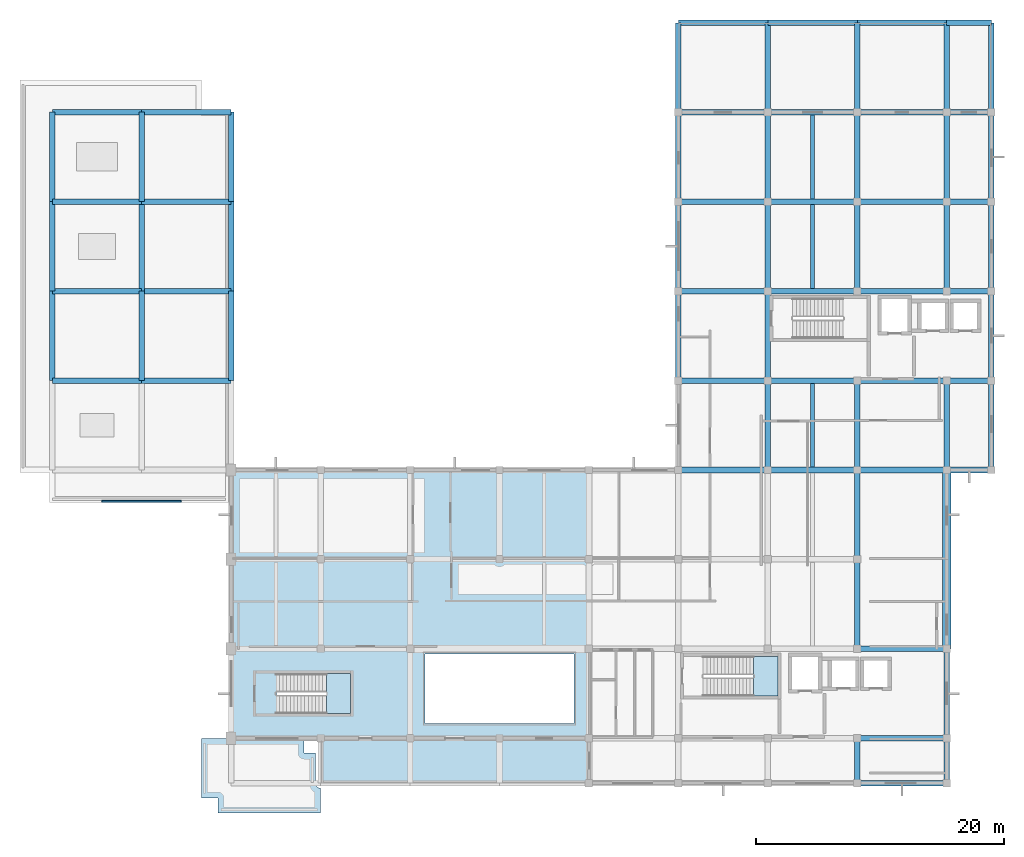
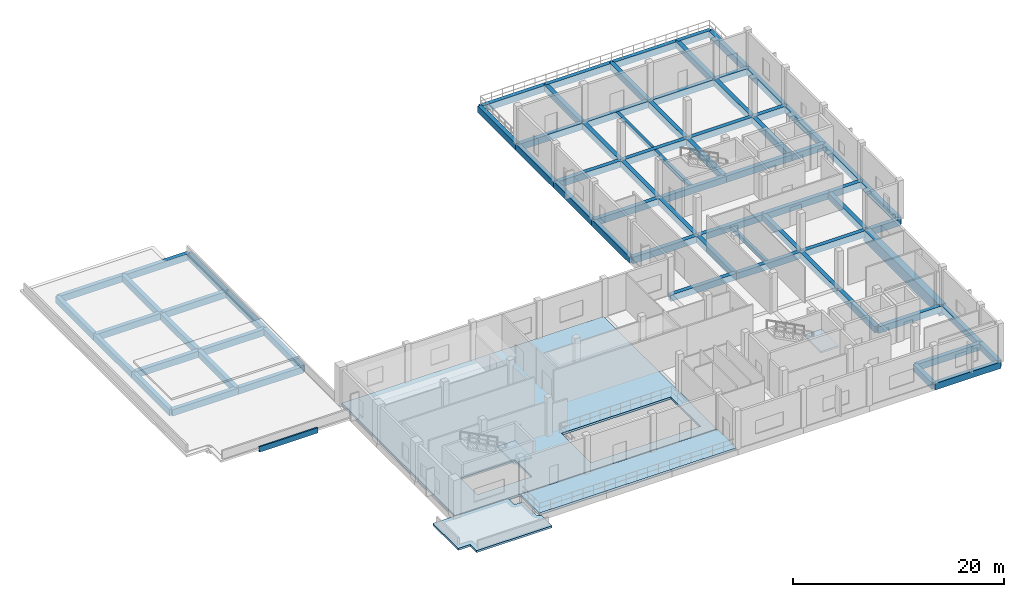
# One storey, part 2 of 14: 75 beams, 5 slabs, 1 plate, 2 elements without a shape of their own.
"""IFC4 building model written with IfcOpenShell, lengths in metres."""

from ifc_helpers import new_model, si_unit, direction, frame, origin, origin_2d, place, context, subcontext, project, spatial, polyline, rectangle, outline, extrude, material, layer, layer_set, material_profile, profile_set, type_object, element, aggregate, save


model = new_model("IFC4")

# Units and contexts
model_context = context("Model", 3, precision=1e-05, world=origin(), true_north=direction((0.0, 1.0)))
body_context = subcontext(model_context, "Body", "Model", "MODEL_VIEW")
ifc_project = project(units=[si_unit("LENGTHUNIT", "METRE"), si_unit("AREAUNIT", "SQUARE_METRE"), si_unit("VOLUMEUNIT", "CUBIC_METRE"), si_unit("PLANEANGLEUNIT", "RADIAN"), si_unit("MASSUNIT", "GRAM", prefix="KILO")], contexts=[model_context])

# Site, building, storey
site_placement = place(None, origin())
site = spatial("IfcSite", under=ifc_project, at=site_placement, CompositionType="ELEMENT")
building_placement = place(site_placement, origin())
building = spatial("IfcBuilding", under=site, at=building_placement, Name="Seraya Terrace Polytechnic", CompositionType="ELEMENT")
storey_placement = place(building_placement, frame((0.0, 0.0, 27.89990234375)))
storey = spatial("IfcBuildingStorey", under=building, at=storey_placement, Name="L06", CompositionType="ELEMENT", Elevation=27.89990234375)

# Beams
ifc_material_1 = material(Name="Concrete C40/50", Category="concrete")
ifc_material_profile_1 = material_profile(ifc_material_1, rectangle(XDim=0.699951171875, YDim=1.300048828125, at=origin_2d()), Name="RC 700x1300")
ifc_profile_set_1 = profile_set([ifc_material_profile_1], Name="Concrete C40/50")
beam_type_1 = type_object("IfcBeamType", Name="BG-01", PredefinedType="USERDEFINED", material=ifc_profile_set_1)
beam_1_placement = place(storey_placement, frame((100.800048828125, 14.39990234375, -0.64990234375), z_axis=(0.0, 1.0, 0.0), x_axis=(-1.0, 0.0, 0.0)))
element("IfcBeam", 1, at=beam_1_placement, inside=storey, type_object=beam_type_1, Name="Beam BG-01 L06 Y (100.8, 14.4..28.8)", ObjectType="GIRDER", PredefinedType="USERDEFINED", context=body_context, shape_type="SweptSolid", body=[
    extrude(rectangle(XDim=0.699951171875, YDim=1.300048828125, at=origin_2d()), origin(), (0.0, 0.0, 1.0), 14.400146484375),
])
ifc_material_profile_2 = material_profile(ifc_material_1, rectangle(XDim=0.449951171875, YDim=0.75, at=origin_2d()), Name="RC 450x750")
ifc_profile_set_2 = profile_set([ifc_material_profile_2], Name="Concrete C40/50")
beam_type_2 = type_object("IfcBeamType", Name="BM-08", PredefinedType="BEAM", material=ifc_profile_set_2)
for number, where, z_axis, x_axis, name in (
    (2, (93.60009765625, 3.60009765625, -0.375), (1.0, 0.0, 0.0), (0.0, 1.0, 0.0), "Beam BM-08 L06 X (93.6..100.8, 3.6)"),
    (3, (93.60009765625, 7.199951171875, -0.375), (1.0, 0.0, 0.0), (0.0, 1.0, 0.0), "Beam BM-08 L06 X (93.6..100.8, 7.2)"),
    (4, (93.60009765625, 14.39990234375, -0.375), (1.0, 0.0, 0.0), (0.0, 1.0, 0.0), "Beam BM-08 L06 X (93.6..100.8, 14.4)"),
    (5, (79.199951171875, 28.800048828125, -0.375), (1.0, 0.0, 0.0), (0.0, 1.0, 0.0), "Beam BM-08 L06 X (79.2..86.4, 28.8)"),
):
    element("IfcBeam", number, at=place(storey_placement, frame(where, z_axis=z_axis, x_axis=x_axis)), inside=storey, type_object=beam_type_2, Name=name, PredefinedType="BEAM", context=body_context, shape_type="SweptSolid", body=[
        extrude(rectangle(XDim=0.449951171875, YDim=0.75, at=origin_2d()), origin(), (0.0, 0.0, 1.0), 7.199951171875),
    ])
beam_2_placement = place(storey_placement, frame((86.39990234375, 28.800048828125, -0.375), z_axis=(1.0, 0.0, 0.0), x_axis=(0.0, 1.0, 0.0)))
element("IfcBeam", 6, at=beam_2_placement, inside=storey, type_object=beam_type_2, Name="Beam BM-08 L06 X (86.4..93.6, 28.8)", PredefinedType="BEAM", context=body_context, shape_type="SweptSolid", body=[
    extrude(rectangle(XDim=0.449951171875, YDim=0.75, at=origin_2d()), origin(), (0.0, 0.0, 1.0), 7.2001953125),
])
beam_3_placement = place(storey_placement, frame((93.60009765625, 28.800048828125, -0.375), z_axis=(1.0, 0.0, 0.0), x_axis=(0.0, 1.0, 0.0)))
element("IfcBeam", 7, at=beam_3_placement, inside=storey, type_object=beam_type_2, Name="Beam BM-08 L06 X (93.6..100.8, 28.8)", PredefinedType="BEAM", context=body_context, shape_type="SweptSolid", body=[
    extrude(rectangle(XDim=0.449951171875, YDim=0.75, at=origin_2d()), origin(), (0.0, 0.0, 1.0), 7.199951171875),
])
beam_4_placement = place(storey_placement, frame((100.800048828125, 28.800048828125, -0.375), z_axis=(1.0, 0.0, 0.0), x_axis=(0.0, 1.0, 0.0)))
element("IfcBeam", 8, at=beam_4_placement, inside=storey, type_object=beam_type_2, Name="Beam BM-08 L06 X (100.8..104.4, 28.8)", PredefinedType="BEAM", context=body_context, shape_type="SweptSolid", body=[
    extrude(rectangle(XDim=0.449951171875, YDim=0.75, at=origin_2d()), origin(), (0.0, 0.0, 1.0), 3.599853515625),
])
for number, where, z_axis, x_axis, name in (
    (9, (28.800048828125, 36.0, -0.375), (1.0, 0.0, 0.0), (0.0, 1.0, 0.0), "Beam BM-08 L06 X (28.8..36.0, 36.0)"),
    (10, (36.0, 36.0, -0.375), (1.0, 0.0, 0.0), (0.0, 1.0, 0.0), "Beam BM-08 L06 X (36.0..43.2, 36.0)"),
    (11, (79.199951171875, 36.0, -0.375), (1.0, 0.0, 0.0), (0.0, 1.0, 0.0), "Beam BM-08 L06 X (79.2..86.4, 36.0)"),
):
    element("IfcBeam", number, at=place(storey_placement, frame(where, z_axis=z_axis, x_axis=x_axis)), inside=storey, type_object=beam_type_2, Name=name, PredefinedType="BEAM", context=body_context, shape_type="SweptSolid", body=[
        extrude(rectangle(XDim=0.449951171875, YDim=0.75, at=origin_2d()), origin(), (0.0, 0.0, 1.0), 7.199951171875),
    ])
beam_5_placement = place(storey_placement, frame((86.39990234375, 36.0, -0.375), z_axis=(1.0, 0.0, 0.0), x_axis=(0.0, 1.0, 0.0)))
element("IfcBeam", 12, at=beam_5_placement, inside=storey, type_object=beam_type_2, Name="Beam BM-08 L06 X (86.4..93.6, 36.0)", PredefinedType="BEAM", context=body_context, shape_type="SweptSolid", body=[
    extrude(rectangle(XDim=0.449951171875, YDim=0.75, at=origin_2d()), origin(), (0.0, 0.0, 1.0), 7.2001953125),
])
beam_6_placement = place(storey_placement, frame((93.60009765625, 36.0, -0.375), z_axis=(1.0, 0.0, 0.0), x_axis=(0.0, 1.0, 0.0)))
element("IfcBeam", 13, at=beam_6_placement, inside=storey, type_object=beam_type_2, Name="Beam BM-08 L06 X (93.6..100.8, 36.0)", PredefinedType="BEAM", context=body_context, shape_type="SweptSolid", body=[
    extrude(rectangle(XDim=0.449951171875, YDim=0.75, at=origin_2d()), origin(), (0.0, 0.0, 1.0), 7.199951171875),
])
beam_7_placement = place(storey_placement, frame((100.800048828125, 36.0, -0.375), z_axis=(1.0, 0.0, 0.0), x_axis=(0.0, 1.0, 0.0)))
element("IfcBeam", 14, at=beam_7_placement, inside=storey, type_object=beam_type_2, Name="Beam BM-08 L06 X (100.8..104.4, 36.0)", PredefinedType="BEAM", context=body_context, shape_type="SweptSolid", body=[
    extrude(rectangle(XDim=0.449951171875, YDim=0.75, at=origin_2d()), origin(), (0.0, 0.0, 1.0), 3.599853515625),
])
for number, where, z_axis, x_axis, name in (
    (15, (28.800048828125, 43.199951171875, -0.375), (1.0, 0.0, 0.0), (0.0, 1.0, 0.0), "Beam BM-08 L06 X (28.8..36.0, 43.2)"),
    (16, (36.0, 43.199951171875, -0.375), (1.0, 0.0, 0.0), (0.0, 1.0, 0.0), "Beam BM-08 L06 X (36.0..43.2, 43.2)"),
    (17, (79.199951171875, 43.199951171875, -0.375), (1.0, 0.0, 0.0), (0.0, 1.0, 0.0), "Beam BM-08 L06 X (79.2..86.4, 43.2)"),
):
    element("IfcBeam", number, at=place(storey_placement, frame(where, z_axis=z_axis, x_axis=x_axis)), inside=storey, type_object=beam_type_2, Name=name, PredefinedType="BEAM", context=body_context, shape_type="SweptSolid", body=[
        extrude(rectangle(XDim=0.449951171875, YDim=0.75, at=origin_2d()), origin(), (0.0, 0.0, 1.0), 7.199951171875),
    ])
beam_8_placement = place(storey_placement, frame((86.39990234375, 43.199951171875, -0.375), z_axis=(1.0, 0.0, 0.0), x_axis=(0.0, 1.0, 0.0)))
element("IfcBeam", 18, at=beam_8_placement, inside=storey, type_object=beam_type_2, Name="Beam BM-08 L06 X (86.4..93.6, 43.2)", PredefinedType="BEAM", context=body_context, shape_type="SweptSolid", body=[
    extrude(rectangle(XDim=0.449951171875, YDim=0.75, at=origin_2d()), origin(), (0.0, 0.0, 1.0), 7.2001953125),
])
beam_9_placement = place(storey_placement, frame((93.60009765625, 43.199951171875, -0.375), z_axis=(1.0, 0.0, 0.0), x_axis=(0.0, 1.0, 0.0)))
element("IfcBeam", 19, at=beam_9_placement, inside=storey, type_object=beam_type_2, Name="Beam BM-08 L06 X (93.6..100.8, 43.2)", PredefinedType="BEAM", context=body_context, shape_type="SweptSolid", body=[
    extrude(rectangle(XDim=0.449951171875, YDim=0.75, at=origin_2d()), origin(), (0.0, 0.0, 1.0), 7.199951171875),
])
beam_10_placement = place(storey_placement, frame((100.800048828125, 43.199951171875, -0.375), z_axis=(1.0, 0.0, 0.0), x_axis=(0.0, 1.0, 0.0)))
element("IfcBeam", 20, at=beam_10_placement, inside=storey, type_object=beam_type_2, Name="Beam BM-08 L06 X (100.8..104.4, 43.2)", PredefinedType="BEAM", context=body_context, shape_type="SweptSolid", body=[
    extrude(rectangle(XDim=0.449951171875, YDim=0.75, at=origin_2d()), origin(), (0.0, 0.0, 1.0), 3.599853515625),
])
for number, where, z_axis, x_axis, name in (
    (21, (28.800048828125, 50.39990234375, -0.375), (1.0, 0.0, 0.0), (0.0, 1.0, 0.0), "Beam BM-08 L06 X (28.8..36.0, 50.4)"),
    (22, (36.0, 50.39990234375, -0.375), (1.0, 0.0, 0.0), (0.0, 1.0, 0.0), "Beam BM-08 L06 X (36.0..43.2, 50.4)"),
    (23, (79.199951171875, 50.39990234375, -0.375), (1.0, 0.0, 0.0), (0.0, 1.0, 0.0), "Beam BM-08 L06 X (79.2..86.4, 50.4)"),
):
    element("IfcBeam", number, at=place(storey_placement, frame(where, z_axis=z_axis, x_axis=x_axis)), inside=storey, type_object=beam_type_2, Name=name, PredefinedType="BEAM", context=body_context, shape_type="SweptSolid", body=[
        extrude(rectangle(XDim=0.449951171875, YDim=0.75, at=origin_2d()), origin(), (0.0, 0.0, 1.0), 7.199951171875),
    ])
beam_11_placement = place(storey_placement, frame((86.39990234375, 50.39990234375, -0.375), z_axis=(1.0, 0.0, 0.0), x_axis=(0.0, 1.0, 0.0)))
element("IfcBeam", 24, at=beam_11_placement, inside=storey, type_object=beam_type_2, Name="Beam BM-08 L06 X (86.4..93.6, 50.4)", PredefinedType="BEAM", context=body_context, shape_type="SweptSolid", body=[
    extrude(rectangle(XDim=0.449951171875, YDim=0.75, at=origin_2d()), origin(), (0.0, 0.0, 1.0), 7.2001953125),
])
beam_12_placement = place(storey_placement, frame((93.60009765625, 50.39990234375, -0.375), z_axis=(1.0, 0.0, 0.0), x_axis=(0.0, 1.0, 0.0)))
element("IfcBeam", 25, at=beam_12_placement, inside=storey, type_object=beam_type_2, Name="Beam BM-08 L06 X (93.6..100.8, 50.4)", PredefinedType="BEAM", context=body_context, shape_type="SweptSolid", body=[
    extrude(rectangle(XDim=0.449951171875, YDim=0.75, at=origin_2d()), origin(), (0.0, 0.0, 1.0), 7.199951171875),
])
beam_13_placement = place(storey_placement, frame((100.800048828125, 50.39990234375, -0.375), z_axis=(1.0, 0.0, 0.0), x_axis=(0.0, 1.0, 0.0)))
element("IfcBeam", 26, at=beam_13_placement, inside=storey, type_object=beam_type_2, Name="Beam BM-08 L06 X (100.8..104.4, 50.4)", PredefinedType="BEAM", context=body_context, shape_type="SweptSolid", body=[
    extrude(rectangle(XDim=0.449951171875, YDim=0.75, at=origin_2d()), origin(), (0.0, 0.0, 1.0), 3.599853515625),
])
for number, where, z_axis, x_axis, name in (
    (27, (28.800048828125, 57.60009765625, -0.375), (1.0, 0.0, 0.0), (0.0, 1.0, 0.0), "Beam BM-08 L06 X (28.8..36.0, 57.6)"),
    (28, (36.0, 57.60009765625, -0.375), (1.0, 0.0, 0.0), (0.0, 1.0, 0.0), "Beam BM-08 L06 X (36.0..43.2, 57.6)"),
    (29, (79.199951171875, 57.60009765625, -0.375), (1.0, 0.0, 0.0), (0.0, 1.0, 0.0), "Beam BM-08 L06 X (79.2..86.4, 57.6)"),
):
    element("IfcBeam", number, at=place(storey_placement, frame(where, z_axis=z_axis, x_axis=x_axis)), inside=storey, type_object=beam_type_2, Name=name, PredefinedType="BEAM", context=body_context, shape_type="SweptSolid", body=[
        extrude(rectangle(XDim=0.449951171875, YDim=0.75, at=origin_2d()), origin(), (0.0, 0.0, 1.0), 7.199951171875),
    ])
beam_14_placement = place(storey_placement, frame((86.39990234375, 57.60009765625, -0.375), z_axis=(1.0, 0.0, 0.0), x_axis=(0.0, 1.0, 0.0)))
element("IfcBeam", 30, at=beam_14_placement, inside=storey, type_object=beam_type_2, Name="Beam BM-08 L06 X (86.4..93.6, 57.6)", PredefinedType="BEAM", context=body_context, shape_type="SweptSolid", body=[
    extrude(rectangle(XDim=0.449951171875, YDim=0.75, at=origin_2d()), origin(), (0.0, 0.0, 1.0), 7.2001953125),
])
beam_15_placement = place(storey_placement, frame((93.60009765625, 57.60009765625, -0.375), z_axis=(1.0, 0.0, 0.0), x_axis=(0.0, 1.0, 0.0)))
element("IfcBeam", 31, at=beam_15_placement, inside=storey, type_object=beam_type_2, Name="Beam BM-08 L06 X (93.6..100.8, 57.6)", PredefinedType="BEAM", context=body_context, shape_type="SweptSolid", body=[
    extrude(rectangle(XDim=0.449951171875, YDim=0.75, at=origin_2d()), origin(), (0.0, 0.0, 1.0), 7.199951171875),
])
beam_16_placement = place(storey_placement, frame((100.800048828125, 57.60009765625, -0.375), z_axis=(1.0, 0.0, 0.0), x_axis=(0.0, 1.0, 0.0)))
element("IfcBeam", 32, at=beam_16_placement, inside=storey, type_object=beam_type_2, Name="Beam BM-08 L06 X (100.8..104.4, 57.6)", PredefinedType="BEAM", context=body_context, shape_type="SweptSolid", body=[
    extrude(rectangle(XDim=0.449951171875, YDim=0.75, at=origin_2d()), origin(), (0.0, 0.0, 1.0), 3.599853515625),
])
beam_17_placement = place(storey_placement, frame((79.199951171875, 64.800048828125, -0.375), z_axis=(1.0, 0.0, 0.0), x_axis=(0.0, 1.0, 0.0)))
element("IfcBeam", 33, at=beam_17_placement, inside=storey, type_object=beam_type_2, Name="Beam BM-08 L06 X (79.2..86.4, 64.8)", PredefinedType="BEAM", context=body_context, shape_type="SweptSolid", body=[
    extrude(rectangle(XDim=0.449951171875, YDim=0.75, at=origin_2d()), origin(), (0.0, 0.0, 1.0), 7.199951171875),
])
beam_18_placement = place(storey_placement, frame((86.39990234375, 64.800048828125, -0.375), z_axis=(1.0, 0.0, 0.0), x_axis=(0.0, 1.0, 0.0)))
element("IfcBeam", 34, at=beam_18_placement, inside=storey, type_object=beam_type_2, Name="Beam BM-08 L06 X (86.4..93.6, 64.8)", PredefinedType="BEAM", context=body_context, shape_type="SweptSolid", body=[
    extrude(rectangle(XDim=0.449951171875, YDim=0.75, at=origin_2d()), origin(), (0.0, 0.0, 1.0), 7.2001953125),
])
beam_19_placement = place(storey_placement, frame((93.60009765625, 64.800048828125, -0.375), z_axis=(1.0, 0.0, 0.0), x_axis=(0.0, 1.0, 0.0)))
element("IfcBeam", 35, at=beam_19_placement, inside=storey, type_object=beam_type_2, Name="Beam BM-08 L06 X (93.6..100.8, 64.8)", PredefinedType="BEAM", context=body_context, shape_type="SweptSolid", body=[
    extrude(rectangle(XDim=0.449951171875, YDim=0.75, at=origin_2d()), origin(), (0.0, 0.0, 1.0), 7.199951171875),
])
beam_20_placement = place(storey_placement, frame((100.800048828125, 64.800048828125, -0.375), z_axis=(1.0, 0.0, 0.0), x_axis=(0.0, 1.0, 0.0)))
element("IfcBeam", 36, at=beam_20_placement, inside=storey, type_object=beam_type_2, Name="Beam BM-08 L06 X (100.8..104.4, 64.8)", PredefinedType="BEAM", context=body_context, shape_type="SweptSolid", body=[
    extrude(rectangle(XDim=0.449951171875, YDim=0.75, at=origin_2d()), origin(), (0.0, 0.0, 1.0), 3.599853515625),
])
for number, where, z_axis, x_axis, name in (
    (37, (28.800048828125, 36.0, -0.375), (0.0, 1.0, 0.0), (-1.0, 0.0, 0.0), "Beam BM-08 L06 Y (28.8, 36.0..43.2)"),
    (38, (28.800048828125, 43.199951171875, -0.375), (0.0, 1.0, 0.0), (-1.0, 0.0, 0.0), "Beam BM-08 L06 Y (28.8, 43.2..50.4)"),
):
    element("IfcBeam", number, at=place(storey_placement, frame(where, z_axis=z_axis, x_axis=x_axis)), inside=storey, type_object=beam_type_2, Name=name, PredefinedType="BEAM", context=body_context, shape_type="SweptSolid", body=[
        extrude(rectangle(XDim=0.449951171875, YDim=0.75, at=origin_2d()), origin(), (0.0, 0.0, 1.0), 7.199951171875),
    ])
beam_21_placement = place(storey_placement, frame((28.800048828125, 50.39990234375, -0.375), z_axis=(0.0, 1.0, 0.0), x_axis=(-1.0, 0.0, 0.0)))
element("IfcBeam", 39, at=beam_21_placement, inside=storey, type_object=beam_type_2, Name="Beam BM-08 L06 Y (28.8, 50.4..57.6)", PredefinedType="BEAM", context=body_context, shape_type="SweptSolid", body=[
    extrude(rectangle(XDim=0.449951171875, YDim=0.75, at=origin_2d()), origin(), (0.0, 0.0, 1.0), 7.2001953125),
])
for number, where, z_axis, x_axis, name in (
    (40, (36.0, 36.0, -0.375), (0.0, 1.0, 0.0), (-1.0, 0.0, 0.0), "Beam BM-08 L06 Y (36.0, 36.0..43.2)"),
    (41, (36.0, 43.199951171875, -0.375), (0.0, 1.0, 0.0), (-1.0, 0.0, 0.0), "Beam BM-08 L06 Y (36.0, 43.2..50.4)"),
):
    element("IfcBeam", number, at=place(storey_placement, frame(where, z_axis=z_axis, x_axis=x_axis)), inside=storey, type_object=beam_type_2, Name=name, PredefinedType="BEAM", context=body_context, shape_type="SweptSolid", body=[
        extrude(rectangle(XDim=0.449951171875, YDim=0.75, at=origin_2d()), origin(), (0.0, 0.0, 1.0), 7.199951171875),
    ])
beam_22_placement = place(storey_placement, frame((36.0, 50.39990234375, -0.375), z_axis=(0.0, 1.0, 0.0), x_axis=(-1.0, 0.0, 0.0)))
element("IfcBeam", 42, at=beam_22_placement, inside=storey, type_object=beam_type_2, Name="Beam BM-08 L06 Y (36.0, 50.4..57.6)", PredefinedType="BEAM", context=body_context, shape_type="SweptSolid", body=[
    extrude(rectangle(XDim=0.449951171875, YDim=0.75, at=origin_2d()), origin(), (0.0, 0.0, 1.0), 7.2001953125),
])
for number, where, z_axis, x_axis, name in (
    (43, (43.199951171875, 36.0, -0.375), (0.0, 1.0, 0.0), (-1.0, 0.0, 0.0), "Beam BM-08 L06 Y (43.2, 36.0..43.2)"),
    (44, (43.199951171875, 43.199951171875, -0.375), (0.0, 1.0, 0.0), (-1.0, 0.0, 0.0), "Beam BM-08 L06 Y (43.2, 43.2..50.4)"),
):
    element("IfcBeam", number, at=place(storey_placement, frame(where, z_axis=z_axis, x_axis=x_axis)), inside=storey, type_object=beam_type_2, Name=name, PredefinedType="BEAM", context=body_context, shape_type="SweptSolid", body=[
        extrude(rectangle(XDim=0.449951171875, YDim=0.75, at=origin_2d()), origin(), (0.0, 0.0, 1.0), 7.199951171875),
    ])
beam_23_placement = place(storey_placement, frame((43.199951171875, 50.39990234375, -0.375), z_axis=(0.0, 1.0, 0.0), x_axis=(-1.0, 0.0, 0.0)))
element("IfcBeam", 45, at=beam_23_placement, inside=storey, type_object=beam_type_2, Name="Beam BM-08 L06 Y (43.2, 50.4..57.6)", PredefinedType="BEAM", context=body_context, shape_type="SweptSolid", body=[
    extrude(rectangle(XDim=0.449951171875, YDim=0.75, at=origin_2d()), origin(), (0.0, 0.0, 1.0), 7.2001953125),
])
for number, where, z_axis, x_axis, name in (
    (46, (79.199951171875, 36.0, -0.375), (0.0, 1.0, 0.0), (-1.0, 0.0, 0.0), "Beam BM-08 L06 Y (79.2, 36.0..43.2)"),
    (47, (79.199951171875, 43.199951171875, -0.375), (0.0, 1.0, 0.0), (-1.0, 0.0, 0.0), "Beam BM-08 L06 Y (79.2, 43.2..50.4)"),
):
    element("IfcBeam", number, at=place(storey_placement, frame(where, z_axis=z_axis, x_axis=x_axis)), inside=storey, type_object=beam_type_2, Name=name, PredefinedType="BEAM", context=body_context, shape_type="SweptSolid", body=[
        extrude(rectangle(XDim=0.449951171875, YDim=0.75, at=origin_2d()), origin(), (0.0, 0.0, 1.0), 7.199951171875),
    ])
beam_24_placement = place(storey_placement, frame((79.199951171875, 50.39990234375, -0.375), z_axis=(0.0, 1.0, 0.0), x_axis=(-1.0, 0.0, 0.0)))
element("IfcBeam", 48, at=beam_24_placement, inside=storey, type_object=beam_type_2, Name="Beam BM-08 L06 Y (79.2, 50.4..57.6)", PredefinedType="BEAM", context=body_context, shape_type="SweptSolid", body=[
    extrude(rectangle(XDim=0.449951171875, YDim=0.75, at=origin_2d()), origin(), (0.0, 0.0, 1.0), 7.2001953125),
])
for number, where, z_axis, x_axis, name in (
    (49, (79.199951171875, 57.60009765625, -0.375), (0.0, 1.0, 0.0), (-1.0, 0.0, 0.0), "Beam BM-08 L06 Y (79.2, 57.6..64.8)"),
    (50, (86.39990234375, 28.800048828125, -0.375), (0.0, 1.0, 0.0), (-1.0, 0.0, 0.0), "Beam BM-08 L06 Y (86.4, 28.8..36.0)"),
    (51, (86.39990234375, 36.0, -0.375), (0.0, 1.0, 0.0), (-1.0, 0.0, 0.0), "Beam BM-08 L06 Y (86.4, 36.0..43.2)"),
    (52, (86.39990234375, 43.199951171875, -0.375), (0.0, 1.0, 0.0), (-1.0, 0.0, 0.0), "Beam BM-08 L06 Y (86.4, 43.2..50.4)"),
):
    element("IfcBeam", number, at=place(storey_placement, frame(where, z_axis=z_axis, x_axis=x_axis)), inside=storey, type_object=beam_type_2, Name=name, PredefinedType="BEAM", context=body_context, shape_type="SweptSolid", body=[
        extrude(rectangle(XDim=0.449951171875, YDim=0.75, at=origin_2d()), origin(), (0.0, 0.0, 1.0), 7.199951171875),
    ])
beam_25_placement = place(storey_placement, frame((86.39990234375, 50.39990234375, -0.375), z_axis=(0.0, 1.0, 0.0), x_axis=(-1.0, 0.0, 0.0)))
element("IfcBeam", 53, at=beam_25_placement, inside=storey, type_object=beam_type_2, Name="Beam BM-08 L06 Y (86.4, 50.4..57.6)", PredefinedType="BEAM", context=body_context, shape_type="SweptSolid", body=[
    extrude(rectangle(XDim=0.449951171875, YDim=0.75, at=origin_2d()), origin(), (0.0, 0.0, 1.0), 7.2001953125),
])
beam_26_placement = place(storey_placement, frame((86.39990234375, 57.60009765625, -0.375), z_axis=(0.0, 1.0, 0.0), x_axis=(-1.0, 0.0, 0.0)))
element("IfcBeam", 54, at=beam_26_placement, inside=storey, type_object=beam_type_2, Name="Beam BM-08 L06 Y (86.4, 57.6..64.8)", PredefinedType="BEAM", context=body_context, shape_type="SweptSolid", body=[
    extrude(rectangle(XDim=0.449951171875, YDim=0.75, at=origin_2d()), origin(), (0.0, 0.0, 1.0), 7.199951171875),
])
beam_27_placement = place(storey_placement, frame((93.60009765625, 3.60009765625, -0.375), z_axis=(0.0, 1.0, 0.0), x_axis=(-1.0, 0.0, 0.0)))
element("IfcBeam", 55, at=beam_27_placement, inside=storey, type_object=beam_type_2, Name="Beam BM-08 L06 Y (93.6, 3.6..7.2)", PredefinedType="BEAM", context=body_context, shape_type="SweptSolid", body=[
    extrude(rectangle(XDim=0.449951171875, YDim=0.75, at=origin_2d()), origin(), (0.0, 0.0, 1.0), 3.599853515625),
])
beam_28_placement = place(storey_placement, frame((93.60009765625, 14.39990234375, -0.375), z_axis=(0.0, 1.0, 0.0), x_axis=(-1.0, 0.0, 0.0)))
element("IfcBeam", 56, at=beam_28_placement, inside=storey, type_object=beam_type_2, Name="Beam BM-08 L06 Y (93.6, 14.4..21.6)", PredefinedType="BEAM", context=body_context, shape_type="SweptSolid", body=[
    extrude(rectangle(XDim=0.449951171875, YDim=0.75, at=origin_2d()), origin(), (0.0, 0.0, 1.0), 7.2001953125),
])
for number, where, z_axis, x_axis, name in (
    (57, (93.60009765625, 21.60009765625, -0.375), (0.0, 1.0, 0.0), (-1.0, 0.0, 0.0), "Beam BM-08 L06 Y (93.6, 21.6..28.8)"),
    (58, (93.60009765625, 28.800048828125, -0.375), (0.0, 1.0, 0.0), (-1.0, 0.0, 0.0), "Beam BM-08 L06 Y (93.6, 28.8..36.0)"),
    (59, (93.60009765625, 43.199951171875, -0.375), (0.0, 1.0, 0.0), (-1.0, 0.0, 0.0), "Beam BM-08 L06 Y (93.6, 43.2..50.4)"),
):
    element("IfcBeam", number, at=place(storey_placement, frame(where, z_axis=z_axis, x_axis=x_axis)), inside=storey, type_object=beam_type_2, Name=name, PredefinedType="BEAM", context=body_context, shape_type="SweptSolid", body=[
        extrude(rectangle(XDim=0.449951171875, YDim=0.75, at=origin_2d()), origin(), (0.0, 0.0, 1.0), 7.199951171875),
    ])
beam_29_placement = place(storey_placement, frame((93.60009765625, 50.39990234375, -0.375), z_axis=(0.0, 1.0, 0.0), x_axis=(-1.0, 0.0, 0.0)))
element("IfcBeam", 60, at=beam_29_placement, inside=storey, type_object=beam_type_2, Name="Beam BM-08 L06 Y (93.6, 50.4..57.6)", PredefinedType="BEAM", context=body_context, shape_type="SweptSolid", body=[
    extrude(rectangle(XDim=0.449951171875, YDim=0.75, at=origin_2d()), origin(), (0.0, 0.0, 1.0), 7.2001953125),
])
beam_30_placement = place(storey_placement, frame((93.60009765625, 57.60009765625, -0.375), z_axis=(0.0, 1.0, 0.0), x_axis=(-1.0, 0.0, 0.0)))
element("IfcBeam", 61, at=beam_30_placement, inside=storey, type_object=beam_type_2, Name="Beam BM-08 L06 Y (93.6, 57.6..64.8)", PredefinedType="BEAM", context=body_context, shape_type="SweptSolid", body=[
    extrude(rectangle(XDim=0.449951171875, YDim=0.75, at=origin_2d()), origin(), (0.0, 0.0, 1.0), 7.199951171875),
])
beam_31_placement = place(storey_placement, frame((100.800048828125, 3.60009765625, -0.375), z_axis=(0.0, 1.0, 0.0), x_axis=(-1.0, 0.0, 0.0)))
element("IfcBeam", 62, at=beam_31_placement, inside=storey, type_object=beam_type_2, Name="Beam BM-08 L06 Y (100.8, 3.6..7.2)", PredefinedType="BEAM", context=body_context, shape_type="SweptSolid", body=[
    extrude(rectangle(XDim=0.449951171875, YDim=0.75, at=origin_2d()), origin(), (0.0, 0.0, 1.0), 3.599853515625),
])
for number, where, z_axis, x_axis, name in (
    (63, (100.800048828125, 7.199951171875, -0.375), (0.0, 1.0, 0.0), (-1.0, 0.0, 0.0), "Beam BM-08 L06 Y (100.8, 7.2..14.4)"),
    (64, (100.800048828125, 28.800048828125, -0.375), (0.0, 1.0, 0.0), (-1.0, 0.0, 0.0), "Beam BM-08 L06 Y (100.8, 28.8..36.0)"),
    (65, (100.800048828125, 43.199951171875, -0.375), (0.0, 1.0, 0.0), (-1.0, 0.0, 0.0), "Beam BM-08 L06 Y (100.8, 43.2..50.4)"),
):
    element("IfcBeam", number, at=place(storey_placement, frame(where, z_axis=z_axis, x_axis=x_axis)), inside=storey, type_object=beam_type_2, Name=name, PredefinedType="BEAM", context=body_context, shape_type="SweptSolid", body=[
        extrude(rectangle(XDim=0.449951171875, YDim=0.75, at=origin_2d()), origin(), (0.0, 0.0, 1.0), 7.199951171875),
    ])
beam_32_placement = place(storey_placement, frame((100.800048828125, 50.39990234375, -0.375), z_axis=(0.0, 1.0, 0.0), x_axis=(-1.0, 0.0, 0.0)))
element("IfcBeam", 66, at=beam_32_placement, inside=storey, type_object=beam_type_2, Name="Beam BM-08 L06 Y (100.8, 50.4..57.6)", PredefinedType="BEAM", context=body_context, shape_type="SweptSolid", body=[
    extrude(rectangle(XDim=0.449951171875, YDim=0.75, at=origin_2d()), origin(), (0.0, 0.0, 1.0), 7.2001953125),
])
for number, where, z_axis, x_axis, name in (
    (67, (100.800048828125, 57.60009765625, -0.375), (0.0, 1.0, 0.0), (-1.0, 0.0, 0.0), "Beam BM-08 L06 Y (100.8, 57.6..64.8)"),
    (68, (104.39990234375, 28.800048828125, -0.375), (0.0, 1.0, 0.0), (-1.0, 0.0, 0.0), "Beam BM-08 L06 Y (104.4, 28.8..36.0)"),
    (69, (104.39990234375, 36.0, -0.375), (0.0, 1.0, 0.0), (-1.0, 0.0, 0.0), "Beam BM-08 L06 Y (104.4, 36.0..43.2)"),
    (70, (104.39990234375, 43.199951171875, -0.375), (0.0, 1.0, 0.0), (-1.0, 0.0, 0.0), "Beam BM-08 L06 Y (104.4, 43.2..50.4)"),
):
    element("IfcBeam", number, at=place(storey_placement, frame(where, z_axis=z_axis, x_axis=x_axis)), inside=storey, type_object=beam_type_2, Name=name, PredefinedType="BEAM", context=body_context, shape_type="SweptSolid", body=[
        extrude(rectangle(XDim=0.449951171875, YDim=0.75, at=origin_2d()), origin(), (0.0, 0.0, 1.0), 7.199951171875),
    ])
beam_33_placement = place(storey_placement, frame((104.39990234375, 50.39990234375, -0.375), z_axis=(0.0, 1.0, 0.0), x_axis=(-1.0, 0.0, 0.0)))
element("IfcBeam", 71, at=beam_33_placement, inside=storey, type_object=beam_type_2, Name="Beam BM-08 L06 Y (104.4, 50.4..57.6)", PredefinedType="BEAM", context=body_context, shape_type="SweptSolid", body=[
    extrude(rectangle(XDim=0.449951171875, YDim=0.75, at=origin_2d()), origin(), (0.0, 0.0, 1.0), 7.2001953125),
])
beam_34_placement = place(storey_placement, frame((104.39990234375, 57.60009765625, -0.375), z_axis=(0.0, 1.0, 0.0), x_axis=(-1.0, 0.0, 0.0)))
element("IfcBeam", 72, at=beam_34_placement, inside=storey, type_object=beam_type_2, Name="Beam BM-08 L06 Y (104.4, 57.6..64.8)", PredefinedType="BEAM", context=body_context, shape_type="SweptSolid", body=[
    extrude(rectangle(XDim=0.449951171875, YDim=0.75, at=origin_2d()), origin(), (0.0, 0.0, 1.0), 7.199951171875),
])
ifc_material_profile_3 = material_profile(ifc_material_1, rectangle(XDim=0.300048828125, YDim=0.449951171875, at=origin_2d()), Name="RC 300x450")
ifc_profile_set_3 = profile_set([ifc_material_profile_3], Name="Concrete C40/50")
beam_type_3 = type_object("IfcBeamType", Name="JS-06", PredefinedType="JOIST", material=ifc_profile_set_3)
for number, where, z_axis, x_axis, name in (
    (73, (90.0, 29.02490234375, -0.224853515625), (0.0, 1.0, 0.0), (-1.0, 0.0, 0.0), "Secondary joist JS-06 L06"),
    (74, (90.0, 43.425048828125, -0.224853515625), (0.0, 1.0, 0.0), (-1.0, 0.0, 0.0), "Secondary joist JS-06 L06"),
    (75, (90.0, 50.625, -0.224853515625), (0.0, 1.0, 0.0), (-1.0, 0.0, 0.0), "Secondary joist JS-06 L06"),
):
    element("IfcBeam", number, at=place(storey_placement, frame(where, z_axis=z_axis, x_axis=x_axis)), inside=storey, type_object=beam_type_3, Name=name, PredefinedType="JOIST", context=body_context, shape_type="SweptSolid", body=[
        extrude(rectangle(XDim=0.300048828125, YDim=0.449951171875, at=origin_2d()), origin(), (0.0, 0.0, 1.0), 6.75),
    ])

# Plate
ifc_material_2 = material(Name="Precast concrete C40/50", Category="concrete")
ifc_layer_1 = layer(ifc_material_2, 0.159912109375, Name="FP-01")
ifc_layer_set_1 = layer_set([ifc_layer_1], Name="Precast concrete C40/50")
plate_type = type_object("IfcPlateType", Name="FP-01", PredefinedType="SHEET", material=ifc_layer_set_1)
plate_placement = place(storey_placement, frame((36.0, 26.27001953125, -0.489990234375), z_axis=(0.0, 0.0, 1.0), x_axis=(1.0, 0.0, 0.0)))
element("IfcPlate", 76, at=plate_placement, inside=storey, type_object=plate_type, Name="Sculpted white precast eave fascia ROOF-L06-WEST South", PredefinedType="SHEET", context=body_context, shape_type="SweptSolid", body=[
    extrude(rectangle(XDim=6.39990234375, YDim=0.159912109375, at=origin_2d()), origin(), (0.0, 0.0, 1.0), 0.6201171875),
])

# Slabs
ifc_layer_2 = layer(ifc_material_1, 0.25, Name="FS-11")
ifc_layer_set_2 = layer_set([ifc_layer_2], Name="Concrete C40/50")
slab_type_1 = type_object("IfcSlabType", Name="FS-11", PredefinedType="FLOOR", material=ifc_layer_set_2)
slab_1_placement = place(storey_placement, frame((0.0, 0.0, -0.25)))
element("IfcSlab", 77, at=slab_1_placement, inside=storey, type_object=slab_type_1, Name="Floor slab SLB-V2-SOUTHW-L06-S1 (FS-11)", PredefinedType="FLOOR", context=body_context, shape_type="SweptSolid", body=[
    extrude(outline(polyline([(43.260009765625, 7.260009765625), (43.260009765625, 28.739990234375), (71.93994140625, 28.739990234375), (71.93994140625, 7.260009765625), (43.260009765625, 7.260009765625)]), holes=[polyline([(46.840087890625, 12.39990234375), (46.840087890625, 9.199951171875), (52.800048828125, 9.199951171875), (52.800048828125, 12.39990234375), (46.840087890625, 12.39990234375)]), polyline([(58.800048828125, 14.0), (58.800048828125, 8.39990234375), (70.800048828125, 8.39990234375), (70.800048828125, 14.0), (58.800048828125, 14.0)])]), origin(), (0.0, 0.0, 1.0), 0.25),
])
ifc_layer_3 = layer(ifc_material_2, 0.22998046875, Name="RS-03")
ifc_layer_set_3 = layer_set([ifc_layer_3], Name="Precast concrete C40/50")
slab_type_2 = type_object("IfcSlabType", Name="RS-03", PredefinedType="ROOF", material=ifc_layer_set_3)
slab_2_placement = place(storey_placement, frame((0.0, 0.0, -0.22998046875)))
element("IfcSlab", 78, at=slab_2_placement, inside=storey, type_object=slab_type_2, Name="Sculpted overhanging precast roof plate ROOF-L06-SW", PredefinedType="ROOF", context=body_context, shape_type="SweptSolid", body=[
    extrude(outline(polyline([(50.39990234375, 1.199951171875), (42.14404296875, 1.199951171875), (42.14404296875, 2.39990234375), (40.800048828125, 2.39990234375), (40.800048828125, 7.199951171875), (49.055908203125, 7.199951171875), (49.055908203125, 6.0), (49.97998046875, 6.0), (49.98193359375, 3.558837890625), (49.998046875, 3.47802734375), (50.029541015625, 3.402099609375), (50.0751953125, 3.33349609375), (50.133544921875, 3.275390625), (50.201904296875, 3.2294921875), (50.278076171875, 3.197998046875), (50.39990234375, 3.179931640625), (50.39990234375, 1.199951171875)])), origin(), (0.0, 0.0, 1.0), 0.22998046875),
])

# Stair, slab
stair_type = type_object("IfcStairType", Name="ST-T2", PredefinedType="HALF_TURN_STAIR", material=ifc_material_1)
stair_1_placement = place(storey_placement, origin())
stair_1 = element("IfcStair", 79, at=stair_1_placement, inside=storey, type_object=stair_type, Name="L06 Protected exit stair ST-01", PredefinedType="HALF_TURN_STAIR")
ifc_layer_4 = layer(ifc_material_1, 0.199951171875, Name="SL-01")
ifc_layer_set_4 = layer_set([ifc_layer_4], Name="Concrete C40/50")
slab_type_3 = type_object("IfcSlabType", Name="SL-01", PredefinedType="LANDING", material=ifc_layer_set_4)
slab_3_placement = place(storey_placement, frame((0.0, 0.0, 2.050048828125)))
slab_3 = element("IfcSlab", 80, at=slab_3_placement, type_object=slab_type_3, Name="ST-01 landing 1", PredefinedType="LANDING", context=body_context, shape_type="SweptSolid", body=[
    extrude(outline(polyline([(85.260009765625, 10.60009765625), (87.199951171875, 10.60009765625), (87.199951171875, 13.800048828125), (85.260009765625, 13.800048828125), (85.260009765625, 10.60009765625)])), origin(), (0.0, 0.0, 1.0), 0.199951171875),
])
aggregate(stair_1, [slab_3])

stair_2_placement = place(storey_placement, origin())
stair_2 = element("IfcStair", 81, at=stair_2_placement, inside=storey, type_object=stair_type, Name="L06 Protected exit stair ST-03", PredefinedType="HALF_TURN_STAIR")
slab_4_placement = place(storey_placement, frame((0.0, 0.0, 2.050048828125)))
slab_4 = element("IfcSlab", 82, at=slab_4_placement, type_object=slab_type_3, Name="ST-03 landing 1", PredefinedType="LANDING", context=body_context, shape_type="SweptSolid", body=[
    extrude(outline(polyline([(50.860107421875, 9.199951171875), (52.800048828125, 9.199951171875), (52.800048828125, 12.39990234375), (50.860107421875, 12.39990234375), (50.860107421875, 9.199951171875)])), origin(), (0.0, 0.0, 1.0), 0.199951171875),
])
aggregate(stair_2, [slab_4])

# Slab
ifc_layer_5 = layer(ifc_material_1, 0.280029296875, Name="TS-05")
ifc_layer_set_5 = layer_set([ifc_layer_5], Name="Concrete C40/50")
slab_type_4 = type_object("IfcSlabType", Name="TS-05", PredefinedType="FLOOR", material=ifc_layer_set_5)
slab_5_placement = place(storey_placement, frame((0.0, 0.0, -0.27978515625)))
element("IfcSlab", 83, at=slab_5_placement, inside=storey, type_object=slab_type_4, Name="Planted study terrace slab TERR-L06-SW", PredefinedType="FLOOR", context=body_context, shape_type="SweptSolid", body=[
    extrude(outline(polyline([(50.39990234375, 3.60009765625), (50.39990234375, 7.199951171875), (72.0, 7.199951171875), (72.0, 3.60009765625), (50.39990234375, 3.60009765625)])), origin(), (0.0, 0.0, 1.0), 0.27978515625),
])

save(model, "model.ifc")
